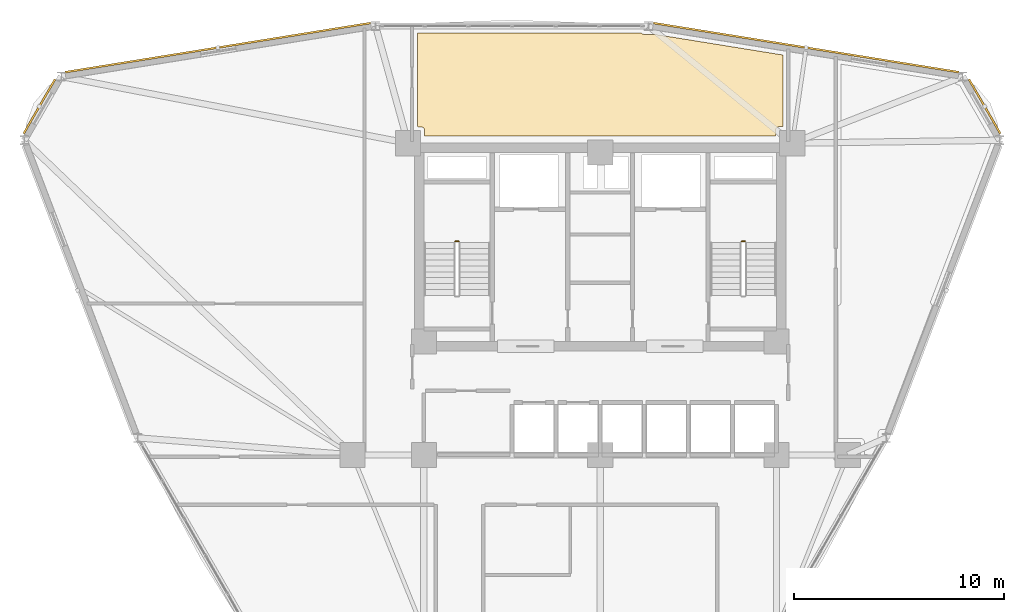
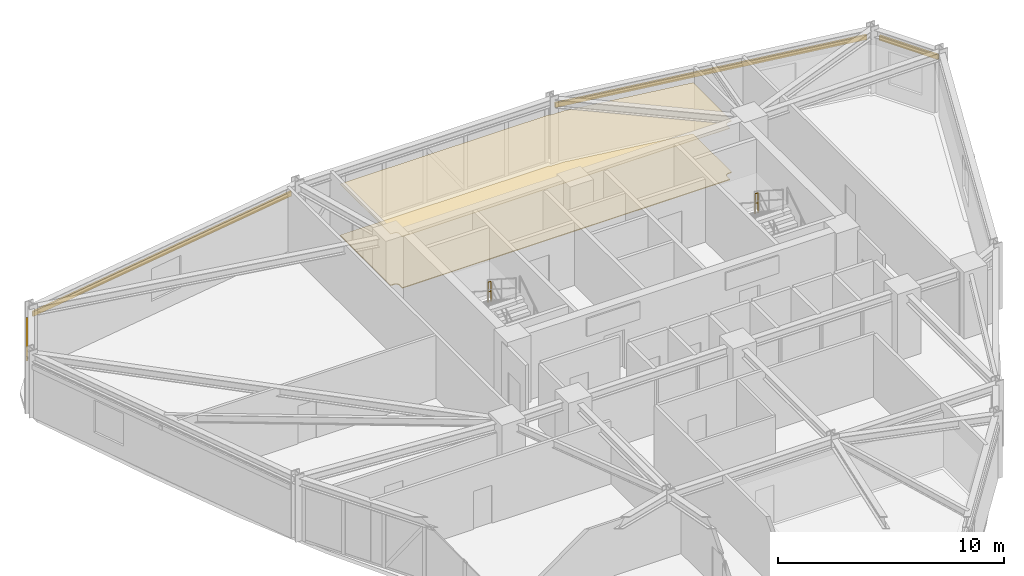
# One storey, part 15 of 15: 4 shading devices, 2 coverings, 2 railings.
"""IFC4 building model written with IfcOpenShell, lengths in metres."""

from ifc_helpers import new_model, si_unit, derived_unit, direction, frame, origin, origin_2d, place, context, subcontext, project, spatial, polyline, hollow_rectangle, circle, outline, extrude, source, transform, mapped, material, layer, layer_set, material_profile, profile_set, type_object, element, save


model = new_model("IFC4")

# Units and contexts
model_context = context("Model", 3, precision=1e-05, world=origin(), true_north=direction((0.0, 1.0)))
body_context = subcontext(model_context, "Body", "Model", "MODEL_VIEW")
ifc_project = project(units=[si_unit("LENGTHUNIT", "METRE"), si_unit("AREAUNIT", "SQUARE_METRE"), si_unit("VOLUMEUNIT", "CUBIC_METRE"), si_unit("PLANEANGLEUNIT", "RADIAN"), si_unit("MASSUNIT", "GRAM", prefix="KILO"), derived_unit("THERMALTRANSMITTANCEUNIT", [(si_unit("POWERUNIT", "WATT"), 1), (si_unit("LENGTHUNIT", "METRE"), -2), (si_unit("THERMODYNAMICTEMPERATUREUNIT", "KELVIN"), -1)])], contexts=[model_context])

# Site, building, storey
site_placement = place(None, origin())
site = spatial("IfcSite", under=ifc_project, at=site_placement, CompositionType="ELEMENT")
building_placement = place(site_placement, origin())
building = spatial("IfcBuilding", under=site, at=building_placement, Name="Korsvarv Bourse and Concert Hall", CompositionType="ELEMENT")
storey_placement = place(building_placement, frame((0.0, 0.0, 147.0)))
storey = spatial("IfcBuildingStorey", under=building, at=storey_placement, Name="L37", CompositionType="ELEMENT", Elevation=147.0)

# Coverings
ifc_material_1 = material(Name="Perforated mineral-wool and birch acoustic baffle ceiling", Category="wood")
ifc_layer_1 = layer(ifc_material_1, 0.02490234375)
ifc_layer_set_1 = layer_set([ifc_layer_1], Name="Perforated mineral-wool and birch acoustic baffle ceiling")
covering_type_1 = type_object("IfcCoveringType", Name="COV-CEIL-1", PredefinedType="CEILING", material=ifc_layer_set_1)
covering_1_placement = place(storey_placement, frame((0.0, 0.0, 2.780029296875)))
element("IfcCovering", 1, at=covering_1_placement, inside=storey, type_object=covering_type_1, Name="L37 acoustic baffle ceiling 3", PredefinedType="CEILING", context=body_context, shape_type="SweptSolid", body=[
    extrude(outline(polyline([(37.9560546875, 52.4931640625), (37.982666015625, 52.470703125), (38.012939453125, 52.4541015625), (38.0458984375, 52.443115234375), (38.08056640625, 52.439208984375), (38.50244140625, 52.42919921875), (38.537841796875, 52.431640625), (38.572021484375, 52.441162109375), (44.710693359375, 51.451416015625), (44.7099609375, 48.0400390625), (44.550048828125, 48.0400390625), (44.515380859375, 48.03662109375), (44.482177734375, 48.026611328125), (44.451416015625, 48.010498046875), (44.42431640625, 47.98876953125), (44.40185546875, 47.962158203125), (44.385009765625, 47.931640625), (44.374267578125, 47.898681640625), (44.3701171875, 47.864013671875), (44.364013671875, 47.60009765625), (27.639892578125, 47.60009765625), (27.639892578125, 47.85009765625), (27.63671875, 47.884521484375), (27.626708984375, 47.917724609375), (27.610595703125, 47.948486328125), (27.589111328125, 47.975341796875), (27.562744140625, 47.997802734375), (27.532470703125, 48.014892578125), (27.49951171875, 48.025634765625), (27.465087890625, 48.02978515625), (27.2900390625, 48.034912109375), (27.2900390625, 52.49658203125), (37.9560546875, 52.4931640625)])), origin(), (0.0, 0.0, 1.0), 0.02490234375),
])
ifc_material_2 = material(Name="Calcium-sulphate raised access trading floor with Nordic oak top", Category="wood")
ifc_layer_2 = layer(ifc_material_2, 0.0400390625)
ifc_layer_set_2 = layer_set([ifc_layer_2], Name="Calcium-sulphate raised access trading floor with Nordic oak top")
covering_type_2 = type_object("IfcCoveringType", Name="COV-FLOR-1", PredefinedType="FLOORING", material=ifc_layer_set_2)
covering_2_placement = place(storey_placement, origin())
element("IfcCovering", 2, at=covering_2_placement, inside=storey, type_object=covering_type_2, Name="L37 raised access oak floor finish 3", PredefinedType="FLOORING", context=body_context, shape_type="SweptSolid", body=[
    extrude(outline(polyline([(37.9560546875, 52.4931640625), (37.982666015625, 52.470703125), (38.012939453125, 52.4541015625), (38.0458984375, 52.443115234375), (38.08056640625, 52.439208984375), (38.50244140625, 52.42919921875), (38.537841796875, 52.431640625), (38.572021484375, 52.441162109375), (44.710693359375, 51.451416015625), (44.7099609375, 48.0400390625), (44.550048828125, 48.0400390625), (44.515380859375, 48.03662109375), (44.482177734375, 48.026611328125), (44.451416015625, 48.010498046875), (44.42431640625, 47.98876953125), (44.40185546875, 47.962158203125), (44.385009765625, 47.931640625), (44.374267578125, 47.898681640625), (44.3701171875, 47.864013671875), (44.364013671875, 47.60009765625), (27.639892578125, 47.60009765625), (27.639892578125, 47.85009765625), (27.63671875, 47.884521484375), (27.626708984375, 47.917724609375), (27.610595703125, 47.948486328125), (27.589111328125, 47.975341796875), (27.562744140625, 47.997802734375), (27.532470703125, 48.014892578125), (27.49951171875, 48.025634765625), (27.465087890625, 48.02978515625), (27.2900390625, 48.034912109375), (27.2900390625, 52.49658203125), (37.9560546875, 52.4931640625)])), origin(), (0.0, 0.0, 1.0), 0.0400390625),
])

# Railings
ifc_material_3 = material(Name="Painted Steel S355 stair well guardrail", Category="steel")
railing_type = type_object("IfcRailingType", Name="RL-ST-GRD", PredefinedType="GUARDRAIL", material=ifc_material_3)
for number, where, name in (
    (3, (29.260009765625, 42.570068359375, 1.800048828125), "L37 ST-T1 stair guard 2"),
    (4, (42.89990234375, 42.570068359375, 1.800048828125), "L37 ST-T2 stair guard 2"),
):
    element("IfcRailing", number, at=place(storey_placement, frame(where)), inside=storey, type_object=railing_type, Name=name, PredefinedType="GUARDRAIL", context=body_context, shape_type="SweptSolid", body=[
        extrude(circle(Radius=0.02392578125, at=origin_2d()), frame((0.0, 0.0, 1.076171875), z_axis=(-1.0, 0.0, 0.0), x_axis=(0.0, -1.0, 0.0)), (0.0, 0.0, 1.0), 0.159912109375),
        extrude(circle(Radius=0.02392578125, at=origin_2d()), frame((0.0, 0.0, 0.550048828125), z_axis=(-1.0, 0.0, 0.0), x_axis=(0.0, -1.0, 0.0)), (0.0, 0.0, 1.0), 0.159912109375),
        extrude(circle(Radius=0.02099609375, at=origin_2d()), origin(), (0.0, 0.0, 1.0), 1.052001953125),
        extrude(circle(Radius=0.02099609375, at=origin_2d()), frame((-0.159912109375, 0.0, 0.0)), (0.0, 0.0, 1.0), 1.052001953125),
    ])

# Shading devices
ifc_material_4 = material(Name="Glazed extruded architectural terracotta", Category="ceramic")
ifc_material_profile = material_profile(ifc_material_4, hollow_rectangle(XDim=0.090087890625, YDim=0.260009765625, WallThickness=0.011962890625, at=origin_2d()), Name="TC-BAG 90x260")
ifc_profile_set = profile_set([ifc_material_profile], Name="Glazed extruded architectural terracotta")
shading_device_type = type_object("IfcShadingDeviceType", Name="SHD-BAG-1", PredefinedType="USERDEFINED", material=ifc_profile_set)
shared_shape_1 = source(origin(), body_context, "Body", "SweptSolid", [
    extrude(hollow_rectangle(XDim=0.090087890625, YDim=0.260009765625, WallThickness=0.011962890625, at=origin_2d()), origin(), (0.0, 0.0, 1.0), 2.991943359375),
])
for number, where, z_axis, x_axis, name in (
    (5, (55.065673828125, 47.705078125, 2.840087890625), (-0.499974392705, 0.866040187658, 0.0), (-0.866040187658, -0.499974392705, 0.0), "L37 terracotta baguette sunshade EW-L37-B01"),
    (6, (10.0302734375, 50.296142578125, 2.840087890625), (-0.500035592419, -0.866004853516, 0.0), (0.866004853516, -0.500035592419, 0.0), "L37 terracotta baguette sunshade EW-L37-B05"),
):
    element("IfcShadingDevice", number, at=place(storey_placement, frame(where, z_axis=z_axis, x_axis=x_axis)), inside=storey, type_object=shading_device_type, Name=name, ObjectType="BAGUETTE", PredefinedType="USERDEFINED", context=body_context, shape_type="MappedRepresentation", body=[
        mapped(shared_shape_1, transform((0.0, 0.0, 0.0), scale=1.0)),
    ])
shared_shape_2 = source(origin(), body_context, "Body", "SweptSolid", [
    extrude(hollow_rectangle(XDim=0.090087890625, YDim=0.260009765625, WallThickness=0.011962890625, at=origin_2d()), origin(), (0.0, 0.0, 1.0), 14.74560546875),
])
shading_device_1_placement = place(storey_placement, frame((53.097900390625, 50.6328125, 2.840087890625), z_axis=(-0.987300662856, 0.158862837452, 0.0), x_axis=(-0.158862837452, -0.987300662856, 0.0)))
element("IfcShadingDevice", 7, at=shading_device_1_placement, inside=storey, type_object=shading_device_type, Name="L37 terracotta baguette sunshade EW-L37-B02", ObjectType="BAGUETTE", PredefinedType="USERDEFINED", context=body_context, shape_type="MappedRepresentation", body=[
    mapped(shared_shape_2, transform((0.0, 0.0, 0.0), scale=1.0)),
])
shared_shape_3 = source(origin(), body_context, "Body", "SweptSolid", [
    extrude(hollow_rectangle(XDim=0.090087890625, YDim=0.260009765625, WallThickness=0.011962890625, at=origin_2d()), origin(), (0.0, 0.0, 1.0), 14.745361328125),
])
shading_device_2_placement = place(storey_placement, frame((25.060302734375, 52.975341796875, 2.7900390625), z_axis=(-0.987300244995, -0.158865434357, 0.0), x_axis=(0.158865434357, -0.987300244995, 0.0)))
element("IfcShadingDevice", 8, at=shading_device_2_placement, inside=storey, type_object=shading_device_type, Name="L37 terracotta baguette sunshade EW-L37-B04", ObjectType="BAGUETTE", PredefinedType="USERDEFINED", context=body_context, shape_type="MappedRepresentation", body=[
    mapped(shared_shape_3, transform((0.0, 0.0, 0.0), scale=1.0)),
])

save(model, "model.ifc")
